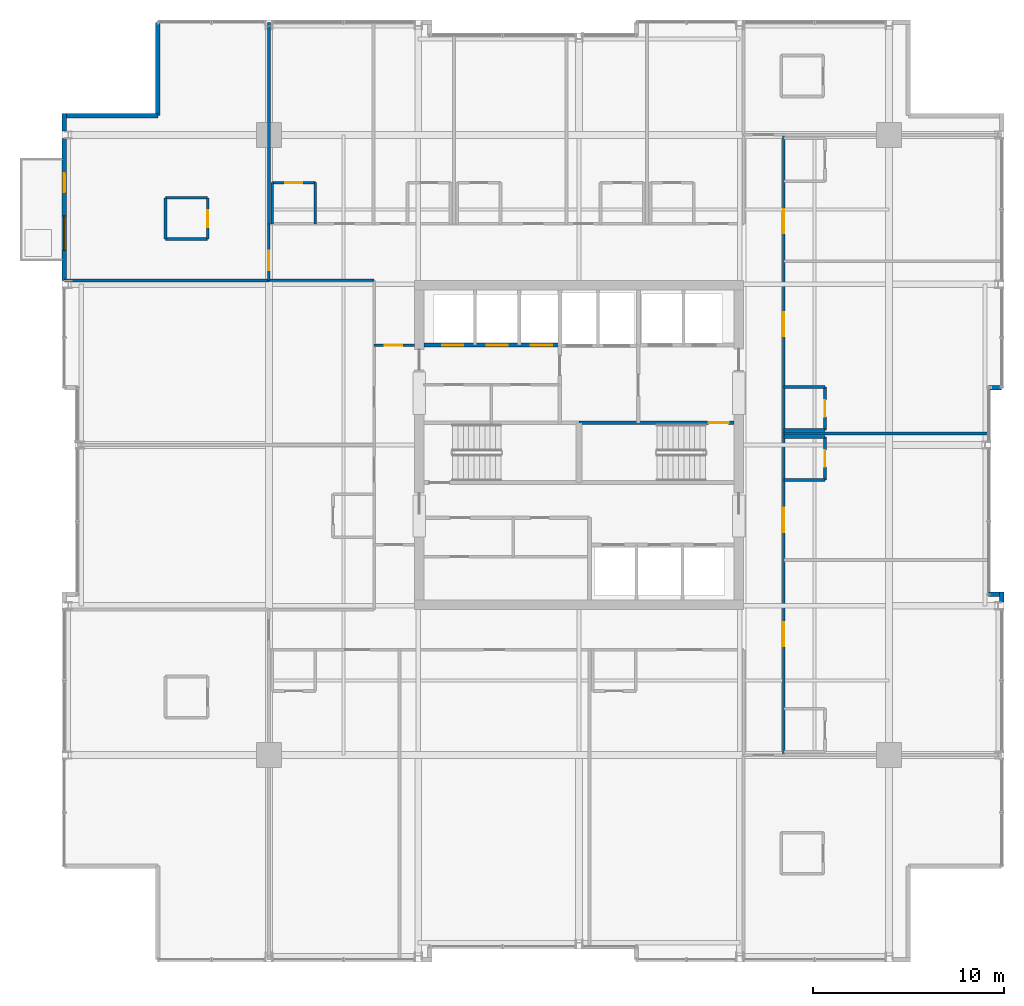
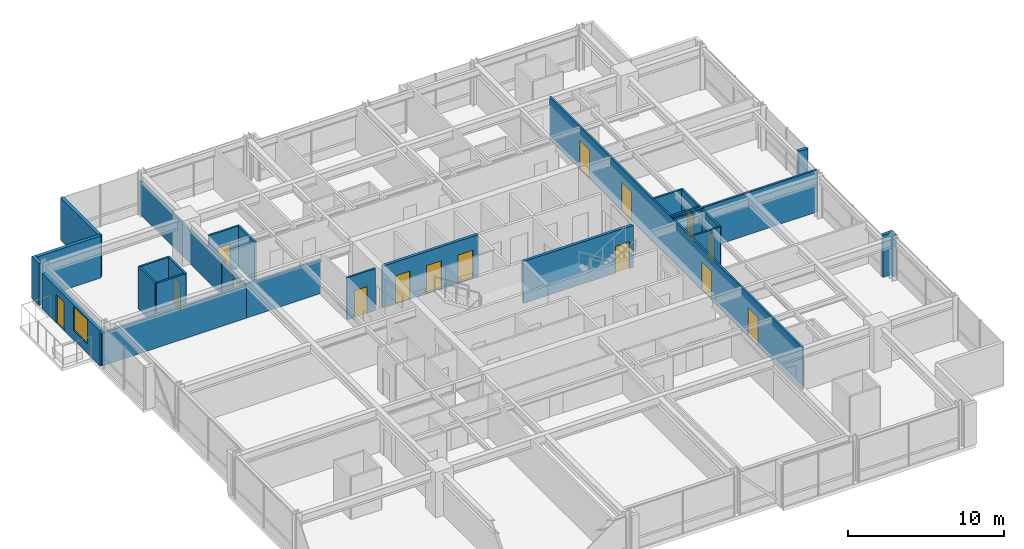
# One storey, part 27 of 32: 29 walls, 15 doors, 1 window, 16 openings.
"""IFC4 building model written with IfcOpenShell, lengths in metres."""

from ifc_helpers import new_model, si_unit, direction, frame, frame_2d, origin, place, context, subcontext, project, spatial, rectangle, extrude, material, layer, layer_set, type_object, element, fill, save


model = new_model("IFC4")

# Units and contexts
model_context = context("Model", 3, precision=1e-05, world=origin(), true_north=direction((0.0, 1.0)))
body_context = subcontext(model_context, "Body", "Model", "MODEL_VIEW")
ifc_project = project(units=[si_unit("LENGTHUNIT", "METRE"), si_unit("AREAUNIT", "SQUARE_METRE"), si_unit("VOLUMEUNIT", "CUBIC_METRE"), si_unit("PLANEANGLEUNIT", "RADIAN"), si_unit("MASSUNIT", "GRAM", prefix="KILO")], contexts=[model_context])

# Site, building, storey
site_placement = place(None, origin())
site = spatial("IfcSite", under=ifc_project, at=site_placement, CompositionType="ELEMENT")
building_placement = place(site_placement, origin())
building = spatial("IfcBuilding", under=site, at=building_placement, Name="Drelvath Grand Hotel", CompositionType="ELEMENT")
storey_placement = place(building_placement, frame((0.0, 0.0, 189.449951171875)))
storey = spatial("IfcBuildingStorey", under=building, at=storey_placement, Name="L49", CompositionType="ELEMENT", Elevation=189.449951171875)

# Wall, openings, doors
ifc_material_1 = material(Name="Concrete C40/50", Category="concrete")
ifc_layer_1 = layer(ifc_material_1, 0.199951171875)
ifc_layer_set_1 = layer_set([ifc_layer_1], Name="Concrete C40/50")
wall_type_1 = type_object("IfcWallType", Name="Core Hoistway Fire Wall 200", PredefinedType="SOLIDWALL", material=ifc_layer_set_1)
wall_1_placement = place(storey_placement, frame((-8.10009765625, 32.219970703125, 0.0), z_axis=(0.0, 0.0, 1.0), x_axis=(1.0, 0.0, 0.0)))
wall_1 = element("IfcWall", 1, at=wall_1_placement, inside=storey, type_object=wall_type_1, Name="L49 Bank 3 Hoistway Wall", PredefinedType="SOLIDWALL", context=body_context, shape_type="SweptSolid", body=[
    extrude(rectangle(XDim=7.10009765625, YDim=0.199951171875, at=frame_2d((3.550048828125, 0.0))), origin(), (0.0, 0.0, 1.0), 3.2900390625),
])
opening_1_placement = place(wall_1_placement, frame((0.949951171875, 0.0, 0.0)))
opening_1 = element("IfcOpeningElement", 2, at=opening_1_placement, cuts=wall_1, Name="Opening LD-PE-7", PredefinedType="OPENING", context=body_context, shape_type="SweptSolid", body=[
    extrude(rectangle(XDim=1.10009765625, YDim=2.199951171875, at=frame_2d((0.550048828125, 1.10009765625))), frame((0.0, 0.10986328125, 0.0), z_axis=(0.0, -1.0, 0.0), x_axis=(1.0, 0.0, 0.0)), (0.0, 0.0, 1.0), 0.219970703125),
])
opening_2_placement = place(wall_1_placement, frame((3.27001953125, 0.0, 0.0)))
opening_2 = element("IfcOpeningElement", 3, at=opening_2_placement, cuts=wall_1, Name="Opening LD-PE-8", PredefinedType="OPENING", context=body_context, shape_type="SweptSolid", body=[
    extrude(rectangle(XDim=1.10009765625, YDim=2.199951171875, at=frame_2d((0.550048828125, 1.10009765625))), frame((0.0, 0.10986328125, 0.0), z_axis=(0.0, -1.0, 0.0), x_axis=(1.0, 0.0, 0.0)), (0.0, 0.0, 1.0), 0.219970703125),
])
opening_3_placement = place(wall_1_placement, frame((5.590087890625, 0.0, 0.0)))
opening_3 = element("IfcOpeningElement", 4, at=opening_3_placement, cuts=wall_1, Name="Opening LD-PE-9", PredefinedType="OPENING", context=body_context, shape_type="SweptSolid", body=[
    extrude(rectangle(XDim=1.10009765625, YDim=2.199951171875, at=frame_2d((0.550048828125, 1.10009765625))), frame((0.0, 0.10986328125, 0.0), z_axis=(0.0, -1.0, 0.0), x_axis=(1.0, 0.0, 0.0)), (0.0, 0.0, 1.0), 0.219970703125),
])
ifc_material_2 = material(Name="Stainless Steel S355", Category="steel")
door_type_1 = type_object("IfcDoorType", Name="Passenger Lift Sliding Landing Door 1100x2200", OperationType="NOTDEFINED", PredefinedType="DOOR", material=ifc_material_2)
door_1_placement = place(opening_1_placement, origin())
door_1 = element("IfcDoor", 5, at=door_1_placement, inside=storey, type_object=door_type_1, Name="L49 Lift PE-7 Landing Door", OperationType="SLIDING_TO_LEFT", OverallHeight=2.199951171875, OverallWidth=1.10009765625, PredefinedType="DOOR", context=body_context, shape_type="SweptSolid", body=[
    extrude(rectangle(XDim=1.10009765625, YDim=2.199951171875, at=frame_2d((0.550048828125, 1.10009765625))), frame((0.0, 0.02490234375, 0.0), z_axis=(0.0, -1.0, 0.0), x_axis=(1.0, 0.0, 0.0)), (0.0, 0.0, 1.0), 0.050048828125),
])
fill(opening_1, door_1)
door_2_placement = place(opening_2_placement, origin())
door_2 = element("IfcDoor", 6, at=door_2_placement, inside=storey, type_object=door_type_1, Name="L49 Lift PE-8 Landing Door", OperationType="SLIDING_TO_LEFT", OverallHeight=2.199951171875, OverallWidth=1.10009765625, PredefinedType="DOOR", context=body_context, shape_type="SweptSolid", body=[
    extrude(rectangle(XDim=1.10009765625, YDim=2.199951171875, at=frame_2d((0.550048828125, 1.10009765625))), frame((0.0, 0.02490234375, 0.0), z_axis=(0.0, -1.0, 0.0), x_axis=(1.0, 0.0, 0.0)), (0.0, 0.0, 1.0), 0.050048828125),
])
fill(opening_2, door_2)
door_3_placement = place(opening_3_placement, origin())
door_3 = element("IfcDoor", 7, at=door_3_placement, inside=storey, type_object=door_type_1, Name="L49 Lift PE-9 Landing Door", OperationType="SLIDING_TO_LEFT", OverallHeight=2.199951171875, OverallWidth=1.10009765625, PredefinedType="DOOR", context=body_context, shape_type="SweptSolid", body=[
    extrude(rectangle(XDim=1.10009765625, YDim=2.199951171875, at=frame_2d((0.550048828125, 1.10009765625))), frame((0.0, 0.02490234375, 0.0), z_axis=(0.0, -1.0, 0.0), x_axis=(1.0, 0.0, 0.0)), (0.0, 0.0, 1.0), 0.050048828125),
])
fill(opening_3, door_3)

# Wall, opening, door
ifc_layer_2 = layer(ifc_material_1, 0.199951171875)
ifc_layer_set_2 = layer_set([ifc_layer_2], Name="Concrete C40/50")
wall_type_2 = type_object("IfcWallType", Name="Core Shaft Fire Wall 200", PredefinedType="SOLIDWALL", material=ifc_layer_set_2)
wall_2_placement = place(storey_placement, frame((8.10009765625, 28.159912109375, 0.0), z_axis=(0.0, 0.0, 1.0), x_axis=(-1.0, 0.0, 0.0)))
wall_2 = element("IfcWall", 8, at=wall_2_placement, inside=storey, type_object=wall_type_2, Name="L49 Stair ST-2 North Wall", PredefinedType="SOLIDWALL", context=body_context, shape_type="SweptSolid", body=[
    extrude(rectangle(XDim=8.10009765625, YDim=0.199951171875, at=frame_2d((4.050048828125, 0.0))), origin(), (0.0, 0.0, 1.0), 3.2900390625),
])
opening_4_placement = place(wall_2_placement, frame((0.280029296875, 0.0, 0.0)))
opening_4 = element("IfcOpeningElement", 9, at=opening_4_placement, cuts=wall_2, Name="Opening D-T3G4-002", PredefinedType="OPENING", context=body_context, shape_type="SweptSolid", body=[
    extrude(rectangle(XDim=1.050048828125, YDim=2.10009765625, at=frame_2d((0.52490234375, 1.050048828125))), frame((0.0, 0.10986328125, 0.0), z_axis=(0.0, -1.0, 0.0), x_axis=(1.0, 0.0, 0.0)), (0.0, 0.0, 1.0), 0.219970703125),
])
ifc_material_3 = material(Name="Painted Steel S275", Category="steel")
door_type_2 = type_object("IfcDoorType", Name="Tower Stairwell Fire Door 1050x2100", OperationType="NOTDEFINED", PredefinedType="DOOR", material=ifc_material_3)
door_4_placement = place(opening_4_placement, origin())
door_4 = element("IfcDoor", 10, at=door_4_placement, inside=storey, type_object=door_type_2, Name="L49 Exit Stair ST-2 Door", OperationType="SINGLE_SWING_LEFT", OverallHeight=2.10009765625, OverallWidth=1.050048828125, PredefinedType="DOOR", context=body_context, shape_type="SweptSolid", body=[
    extrude(rectangle(XDim=1.050048828125, YDim=2.10009765625, at=frame_2d((0.52490234375, 1.050048828125))), frame((0.0, 0.02490234375, 0.0), z_axis=(0.0, -1.0, 0.0), x_axis=(1.0, 0.0, 0.0)), (0.0, 0.0, 1.0), 0.050048828125),
])
fill(opening_4, door_4)

ifc_material_4 = material(Name="Gypsum Fireboard Partition")
ifc_layer_3 = layer(ifc_material_4, 0.135009765625)
ifc_layer_set_3 = layer_set([ifc_layer_3], Name="Gypsum Fireboard Partition")
wall_type_3 = type_object("IfcWallType", Name="Corridor Fire Barrier Wall 135", PredefinedType="PARTITIONING", material=ifc_layer_set_3)
wall_3_placement = place(storey_placement, frame((-10.699951171875, 32.199951171875, 0.0), z_axis=(0.0, 0.0, 1.0), x_axis=(1.0, 0.0, 0.0)))
wall_3 = element("IfcWall", 11, at=wall_3_placement, inside=storey, type_object=wall_type_3, Name="L49 West Foyer North Wall", PredefinedType="PARTITIONING", context=body_context, shape_type="SweptSolid", body=[
    extrude(rectangle(XDim=2.099853515625, YDim=0.135009765625, at=frame_2d((1.0498046875, 0.0))), origin(), (0.0, 0.0, 1.0), 3.2900390625),
])
opening_5_placement = place(wall_3_placement, frame((0.550048828125, 0.0, 0.0)))
opening_5 = element("IfcOpeningElement", 12, at=opening_5_placement, cuts=wall_3, Name="Opening D-T3G4-025", PredefinedType="OPENING", context=body_context, shape_type="SweptSolid", body=[
    extrude(rectangle(XDim=0.919921875, YDim=2.10009765625, at=frame_2d((0.4599609375, 1.050048828125))), frame((0.0, 0.077392578125, 0.0), z_axis=(0.0, -1.0, 0.0), x_axis=(1.0, 0.0, 0.0)), (0.0, 0.0, 1.0), 0.155029296875),
])
door_type_3 = type_object("IfcDoorType", Name="Staff Utility Door 920x2100", OperationType="NOTDEFINED", PredefinedType="DOOR", material=ifc_material_3)
door_5_placement = place(opening_5_placement, origin())
door_5 = element("IfcDoor", 13, at=door_5_placement, inside=storey, type_object=door_type_3, Name="L49 West Pantry Door", OperationType="SINGLE_SWING_LEFT", OverallHeight=2.10009765625, OverallWidth=0.919921875, PredefinedType="DOOR", context=body_context, shape_type="SweptSolid", body=[
    extrude(rectangle(XDim=0.919921875, YDim=2.10009765625, at=frame_2d((0.4599609375, 1.050048828125))), frame((0.0, 0.02490234375, 0.0), z_axis=(0.0, -1.0, 0.0), x_axis=(1.0, 0.0, 0.0)), (0.0, 0.0, 1.0), 0.050048828125),
])
fill(opening_5, door_5)

# Wall
wall_4_placement = place(storey_placement, frame((-16.199951171875, 35.60009765625, 0.0), z_axis=(0.0, 0.0, 1.0), x_axis=(1.0, 0.0, 0.0)))
element("IfcWall", 14, at=wall_4_placement, inside=storey, type_object=wall_type_3, Name="L49 NW Stub South Wall", PredefinedType="PARTITIONING", context=body_context, shape_type="SweptSolid", body=[
    extrude(rectangle(XDim=5.5, YDim=0.135009765625, at=frame_2d((2.75, 0.0))), origin(), (0.0, 0.0, 1.0), 2.66748046875),
])

# Wall, openings, doors
wall_5_placement = place(storey_placement, frame((10.699951171875, 10.800048828125, 0.0), z_axis=(0.0, 0.0, 1.0), x_axis=(0.0, 1.0, 0.0)))
wall_5 = element("IfcWall", 15, at=wall_5_placement, inside=storey, type_object=wall_type_3, Name="L49 East Spine Corridor Wall", PredefinedType="PARTITIONING", context=body_context, shape_type="SweptSolid", body=[
    extrude(rectangle(XDim=32.39990234375, YDim=0.135009765625, at=frame_2d((16.199951171875, 0.0))), origin(), (0.0, 0.0, 1.0), 3.2900390625),
])
opening_6_placement = place(wall_5_placement, frame((5.68505859375, 0.0, 0.0)))
opening_6 = element("IfcOpeningElement", 16, at=opening_6_placement, cuts=wall_5, Name="Opening D-T3G4-050", PredefinedType="OPENING", context=body_context, shape_type="SweptSolid", body=[
    extrude(rectangle(XDim=1.260009765625, YDim=2.199951171875, at=frame_2d((0.6298828125, 1.10009765625))), frame((0.0, 0.077392578125, 0.0), z_axis=(0.0, -1.0, 0.0), x_axis=(1.0, 0.0, 0.0)), (0.0, 0.0, 1.0), 0.155029296875),
])
opening_7_placement = place(wall_5_placement, frame((11.655029296875, 0.0, 0.0)))
opening_7 = element("IfcOpeningElement", 17, at=opening_7_placement, cuts=wall_5, Name="Opening D-T3G4-052", PredefinedType="OPENING", context=body_context, shape_type="SweptSolid", body=[
    extrude(rectangle(XDim=1.260009765625, YDim=2.199951171875, at=frame_2d((0.6298828125, 1.10009765625))), frame((0.0, 0.077392578125, 0.0), z_axis=(0.0, -1.0, 0.0), x_axis=(1.0, 0.0, 0.0)), (0.0, 0.0, 1.0), 0.155029296875),
])
opening_8_placement = place(wall_5_placement, frame((21.885009765625, 0.0, 0.0)))
opening_8 = element("IfcOpeningElement", 18, at=opening_8_placement, cuts=wall_5, Name="Opening D-T3G4-054", PredefinedType="OPENING", context=body_context, shape_type="SweptSolid", body=[
    extrude(rectangle(XDim=1.260009765625, YDim=2.199951171875, at=frame_2d((0.6298828125, 1.10009765625))), frame((0.0, 0.077392578125, 0.0), z_axis=(0.0, -1.0, 0.0), x_axis=(1.0, 0.0, 0.0)), (0.0, 0.0, 1.0), 0.155029296875),
])
opening_9_placement = place(wall_5_placement, frame((27.2548828125, 0.0, 0.0)))
opening_9 = element("IfcOpeningElement", 19, at=opening_9_placement, cuts=wall_5, Name="Opening D-T3G4-056", PredefinedType="OPENING", context=body_context, shape_type="SweptSolid", body=[
    extrude(rectangle(XDim=1.260009765625, YDim=2.199951171875, at=frame_2d((0.6298828125, 1.10009765625))), frame((0.0, 0.077392578125, 0.0), z_axis=(0.0, -1.0, 0.0), x_axis=(1.0, 0.0, 0.0)), (0.0, 0.0, 1.0), 0.155029296875),
])
ifc_material_5 = material(Name="Hardwood Walnut Timber", Category="wood")
door_type_4 = type_object("IfcDoorType", Name="Suite Entrance Fire Door 1260x2200", OperationType="NOTDEFINED", PredefinedType="DOOR", material=ifc_material_5)
door_6_placement = place(opening_6_placement, origin())
door_6 = element("IfcDoor", 20, at=door_6_placement, inside=storey, type_object=door_type_4, Name="L49 Executive Suite Entry Door", OperationType="SINGLE_SWING_RIGHT", OverallHeight=2.199951171875, OverallWidth=1.260009765625, PredefinedType="DOOR", context=body_context, shape_type="SweptSolid", body=[
    extrude(rectangle(XDim=1.260009765625, YDim=2.199951171875, at=frame_2d((0.6298828125, 1.10009765625))), frame((0.0, 0.02490234375, 0.0), z_axis=(0.0, -1.0, 0.0), x_axis=(1.0, 0.0, 0.0)), (0.0, 0.0, 1.0), 0.050048828125),
])
fill(opening_6, door_6)
door_7_placement = place(opening_7_placement, origin())
door_7 = element("IfcDoor", 21, at=door_7_placement, inside=storey, type_object=door_type_4, Name="L49 Executive Suite Entry Door", OperationType="SINGLE_SWING_RIGHT", OverallHeight=2.199951171875, OverallWidth=1.260009765625, PredefinedType="DOOR", context=body_context, shape_type="SweptSolid", body=[
    extrude(rectangle(XDim=1.260009765625, YDim=2.199951171875, at=frame_2d((0.6298828125, 1.10009765625))), frame((0.0, 0.02490234375, 0.0), z_axis=(0.0, -1.0, 0.0), x_axis=(1.0, 0.0, 0.0)), (0.0, 0.0, 1.0), 0.050048828125),
])
fill(opening_7, door_7)
door_8_placement = place(opening_8_placement, origin())
door_8 = element("IfcDoor", 22, at=door_8_placement, inside=storey, type_object=door_type_4, Name="L49 Executive Suite Entry Door", OperationType="SINGLE_SWING_RIGHT", OverallHeight=2.199951171875, OverallWidth=1.260009765625, PredefinedType="DOOR", context=body_context, shape_type="SweptSolid", body=[
    extrude(rectangle(XDim=1.260009765625, YDim=2.199951171875, at=frame_2d((0.6298828125, 1.10009765625))), frame((0.0, 0.02490234375, 0.0), z_axis=(0.0, -1.0, 0.0), x_axis=(1.0, 0.0, 0.0)), (0.0, 0.0, 1.0), 0.050048828125),
])
fill(opening_8, door_8)
door_9_placement = place(opening_9_placement, origin())
door_9 = element("IfcDoor", 23, at=door_9_placement, inside=storey, type_object=door_type_4, Name="L49 Executive Suite Entry Door", OperationType="SINGLE_SWING_RIGHT", OverallHeight=2.199951171875, OverallWidth=1.260009765625, PredefinedType="DOOR", context=body_context, shape_type="SweptSolid", body=[
    extrude(rectangle(XDim=1.260009765625, YDim=2.199951171875, at=frame_2d((0.6298828125, 1.10009765625))), frame((0.0, 0.02490234375, 0.0), z_axis=(0.0, -1.0, 0.0), x_axis=(1.0, 0.0, 0.0)), (0.0, 0.0, 1.0), 0.050048828125),
])
fill(opening_9, door_9)

# Wall, opening, door
wall_6_placement = place(storey_placement, frame((-16.199951171875, 35.60009765625, 0.0), z_axis=(0.0, 0.0, 1.0), x_axis=(0.0, 1.0, 0.0)))
wall_6 = element("IfcWall", 24, at=wall_6_placement, inside=storey, type_object=wall_type_3, Name="L49 North Stub West End", PredefinedType="PARTITIONING", context=body_context, shape_type="SweptSolid", body=[
    extrude(rectangle(XDim=2.949951171875, YDim=0.135009765625, at=frame_2d((1.47509765625, 0.0))), origin(), (0.0, 0.0, 1.0), 2.57958984375),
])
opening_10_placement = place(wall_6_placement, frame((0.52001953125, 0.0, 0.0)))
opening_10 = element("IfcOpeningElement", 25, at=opening_10_placement, cuts=wall_6, Name="Opening D-T3G4-029", PredefinedType="OPENING", context=body_context, shape_type="SweptSolid", body=[
    extrude(rectangle(XDim=1.02001953125, YDim=2.14990234375, at=frame_2d((0.510009765625, 1.074951171875))), frame((0.0, 0.077392578125, 0.0), z_axis=(0.0, -1.0, 0.0), x_axis=(1.0, 0.0, 0.0)), (0.0, 0.0, 1.0), 0.155029296875),
])
door_type_5 = type_object("IfcDoorType", Name="Amenity Meeting Fire Door 1020x2150", OperationType="NOTDEFINED", PredefinedType="DOOR", material=ifc_material_5)
door_10_placement = place(opening_10_placement, origin())
door_10 = element("IfcDoor", 26, at=door_10_placement, inside=storey, type_object=door_type_5, Name="L49 Executive Suite Entry Door", OperationType="SINGLE_SWING_LEFT", OverallHeight=2.14990234375, OverallWidth=1.02001953125, PredefinedType="DOOR", context=body_context, shape_type="SweptSolid", body=[
    extrude(rectangle(XDim=1.02001953125, YDim=2.14990234375, at=frame_2d((0.510009765625, 1.074951171875))), frame((0.0, 0.02490234375, 0.0), z_axis=(0.0, -1.0, 0.0), x_axis=(1.0, 0.0, 0.0)), (0.0, 0.0, 1.0), 0.050048828125),
])
fill(opening_10, door_10)

# Walls
ifc_material_6 = material(Name="Moisture-Resistant Gypsum Board")
ifc_layer_4 = layer(ifc_material_6, 0.139892578125)
ifc_layer_set_4 = layer_set([ifc_layer_4], Name="Moisture-Resistant Gypsum Board")
wall_type_4 = type_object("IfcWallType", Name="En-Suite Plumbing Wall 140", PredefinedType="PLUMBINGWALL", material=ifc_layer_set_4)
for number, where, z_axis, x_axis, name in (
    (27, (-21.60009765625, 37.760009765625, 0.0), (0.0, 0.0, 1.0), (1.0, 0.0, 0.0), "L49 Corner En-Suite South"),
    (28, (-21.60009765625, 39.909912109375, 0.0), (0.0, 0.0, 1.0), (1.0, 0.0, 0.0), "L49 Corner En-Suite North"),
):
    element("IfcWall", number, at=place(storey_placement, frame(where, z_axis=z_axis, x_axis=x_axis)), inside=storey, type_object=wall_type_4, Name=name, PredefinedType="PLUMBINGWALL", context=body_context, shape_type="SweptSolid", body=[
        extrude(rectangle(XDim=2.2001953125, YDim=0.139892578125, at=frame_2d((1.10009765625, 0.0))), origin(), (0.0, 0.0, 1.0), 3.2900390625),
    ])
wall_7_placement = place(storey_placement, frame((-21.60009765625, 37.760009765625, 0.0), z_axis=(0.0, 0.0, 1.0), x_axis=(0.0, 1.0, 0.0)))
element("IfcWall", 29, at=wall_7_placement, inside=storey, type_object=wall_type_4, Name="L49 Corner En-Suite West", PredefinedType="PLUMBINGWALL", context=body_context, shape_type="SweptSolid", body=[
    extrude(rectangle(XDim=2.14990234375, YDim=0.139892578125, at=frame_2d((1.074951171875, 0.0))), origin(), (0.0, 0.0, 1.0), 3.2900390625),
])

# Wall, opening, door
wall_8_placement = place(storey_placement, frame((-19.39990234375, 37.760009765625, 0.0), z_axis=(0.0, 0.0, 1.0), x_axis=(0.0, 1.0, 0.0)))
wall_8 = element("IfcWall", 30, at=wall_8_placement, inside=storey, type_object=wall_type_4, Name="L49 Corner En-Suite East", PredefinedType="PLUMBINGWALL", context=body_context, shape_type="SweptSolid", body=[
    extrude(rectangle(XDim=2.14990234375, YDim=0.139892578125, at=frame_2d((1.074951171875, 0.0))), origin(), (0.0, 0.0, 1.0), 3.2900390625),
])
opening_11_placement = place(wall_8_placement, frame((0.6201171875, 0.0, 0.0)))
opening_11 = element("IfcOpeningElement", 31, at=opening_11_placement, cuts=wall_8, Name="Opening D-T3G4-028", PredefinedType="OPENING", context=body_context, shape_type="SweptSolid", body=[
    extrude(rectangle(XDim=0.8798828125, YDim=2.10009765625, at=frame_2d((0.43994140625, 1.050048828125))), frame((0.0, 0.079833984375, 0.0), z_axis=(0.0, -1.0, 0.0), x_axis=(1.0, 0.0, 0.0)), (0.0, 0.0, 1.0), 0.159912109375),
])
door_type_6 = type_object("IfcDoorType", Name="En-Suite Bathroom Door 880x2100", OperationType="NOTDEFINED", PredefinedType="DOOR", material=ifc_material_5)
door_11_placement = place(opening_11_placement, origin())
door_11 = element("IfcDoor", 32, at=door_11_placement, inside=storey, type_object=door_type_6, Name="L49 Corner En-Suite Door", OperationType="SINGLE_SWING_RIGHT", OverallHeight=2.10009765625, OverallWidth=0.8798828125, PredefinedType="DOOR", context=body_context, shape_type="SweptSolid", body=[
    extrude(rectangle(XDim=0.8798828125, YDim=2.10009765625, at=frame_2d((0.43994140625, 1.050048828125))), frame((0.0, 0.02490234375, 0.0), z_axis=(0.0, -1.0, 0.0), x_axis=(1.0, 0.0, 0.0)), (0.0, 0.0, 1.0), 0.050048828125),
])
fill(opening_11, door_11)

# Walls
wall_9_placement = place(storey_placement, frame((-16.02001953125, 38.550048828125, 0.0), z_axis=(0.0, 0.0, 1.0), x_axis=(0.0, 1.0, 0.0)))
element("IfcWall", 33, at=wall_9_placement, inside=storey, type_object=wall_type_4, Name="L49 En-Suite Left Wall", PredefinedType="PLUMBINGWALL", context=body_context, shape_type="SweptSolid", body=[
    extrude(rectangle(XDim=2.14990234375, YDim=0.139892578125, at=frame_2d((1.074951171875, 0.0))), origin(), (0.0, 0.0, 1.0), 2.57958984375),
])
wall_10_placement = place(storey_placement, frame((-13.77001953125, 38.550048828125, 0.0), z_axis=(0.0, 0.0, 1.0), x_axis=(0.0, 1.0, 0.0)))
element("IfcWall", 34, at=wall_10_placement, inside=storey, type_object=wall_type_4, Name="L49 En-Suite Right Wall", PredefinedType="PLUMBINGWALL", context=body_context, shape_type="SweptSolid", body=[
    extrude(rectangle(XDim=2.14990234375, YDim=0.139892578125, at=frame_2d((1.074951171875, 0.0))), origin(), (0.0, 0.0, 1.0), 3.2900390625),
])

# Wall, opening, door
wall_11_placement = place(storey_placement, frame((-16.02001953125, 40.699951171875, 0.0), z_axis=(0.0, 0.0, 1.0), x_axis=(1.0, 0.0, 0.0)))
wall_11 = element("IfcWall", 35, at=wall_11_placement, inside=storey, type_object=wall_type_4, Name="L49 En-Suite Front Wall", PredefinedType="PLUMBINGWALL", context=body_context, shape_type="SweptSolid", body=[
    extrude(rectangle(XDim=2.25, YDim=0.139892578125, at=frame_2d((1.125, 0.0))), origin(), (0.0, 0.0, 1.0), 3.2900390625),
])
opening_12_placement = place(wall_11_placement, frame((0.68505859375, 0.0, 0.0)))
opening_12 = element("IfcOpeningElement", 36, at=opening_12_placement, cuts=wall_11, Name="Opening D-T3G4-039", PredefinedType="OPENING", context=body_context, shape_type="SweptSolid", body=[
    extrude(rectangle(XDim=0.8798828125, YDim=2.10009765625, at=frame_2d((0.43994140625, 1.050048828125))), frame((0.0, 0.079833984375, 0.0), z_axis=(0.0, -1.0, 0.0), x_axis=(1.0, 0.0, 0.0)), (0.0, 0.0, 1.0), 0.159912109375),
])
door_12_placement = place(opening_12_placement, origin())
door_12 = element("IfcDoor", 37, at=door_12_placement, inside=storey, type_object=door_type_6, Name="L49 En-Suite Bathroom Door", OperationType="SINGLE_SWING_LEFT", OverallHeight=2.10009765625, OverallWidth=0.8798828125, PredefinedType="DOOR", context=body_context, shape_type="SweptSolid", body=[
    extrude(rectangle(XDim=0.8798828125, YDim=2.10009765625, at=frame_2d((0.43994140625, 1.050048828125))), frame((0.0, 0.02490234375, 0.0), z_axis=(0.0, -1.0, 0.0), x_axis=(1.0, 0.0, 0.0)), (0.0, 0.0, 1.0), 0.050048828125),
])
fill(opening_12, door_12)

# Walls
for number, where, z_axis, x_axis, name in (
    (38, (10.699951171875, 25.169921875, 0.0), (0.0, 0.0, 1.0), (1.0, 0.0, 0.0), "L49 En-Suite Left Wall"),
    (39, (10.699951171875, 27.419921875, 0.0), (0.0, 0.0, 1.0), (1.0, 0.0, 0.0), "L49 En-Suite Right Wall"),
):
    element("IfcWall", number, at=place(storey_placement, frame(where, z_axis=z_axis, x_axis=x_axis)), inside=storey, type_object=wall_type_4, Name=name, PredefinedType="PLUMBINGWALL", context=body_context, shape_type="SweptSolid", body=[
        extrude(rectangle(XDim=2.150146484375, YDim=0.139892578125, at=frame_2d((1.0751953125, 0.0))), origin(), (0.0, 0.0, 1.0), 3.2900390625),
    ])

# Wall, opening, door
wall_12_placement = place(storey_placement, frame((12.85009765625, 25.169921875, 0.0), z_axis=(0.0, 0.0, 1.0), x_axis=(0.0, 1.0, 0.0)))
wall_12 = element("IfcWall", 40, at=wall_12_placement, inside=storey, type_object=wall_type_4, Name="L49 En-Suite Front Wall", PredefinedType="PLUMBINGWALL", context=body_context, shape_type="SweptSolid", body=[
    extrude(rectangle(XDim=2.25, YDim=0.139892578125, at=frame_2d((1.125, 0.0))), origin(), (0.0, 0.0, 1.0), 3.2900390625),
])
opening_13_placement = place(wall_12_placement, frame((0.68505859375, 0.0, 0.0)))
opening_13 = element("IfcOpeningElement", 41, at=opening_13_placement, cuts=wall_12, Name="Opening D-T3G4-051", PredefinedType="OPENING", context=body_context, shape_type="SweptSolid", body=[
    extrude(rectangle(XDim=0.8798828125, YDim=2.10009765625, at=frame_2d((0.43994140625, 1.050048828125))), frame((0.0, 0.079833984375, 0.0), z_axis=(0.0, -1.0, 0.0), x_axis=(1.0, 0.0, 0.0)), (0.0, 0.0, 1.0), 0.159912109375),
])
door_13_placement = place(opening_13_placement, origin())
door_13 = element("IfcDoor", 42, at=door_13_placement, inside=storey, type_object=door_type_6, Name="L49 En-Suite Bathroom Door", OperationType="SINGLE_SWING_LEFT", OverallHeight=2.10009765625, OverallWidth=0.8798828125, PredefinedType="DOOR", context=body_context, shape_type="SweptSolid", body=[
    extrude(rectangle(XDim=0.8798828125, YDim=2.10009765625, at=frame_2d((0.43994140625, 1.050048828125))), frame((0.0, 0.02490234375, 0.0), z_axis=(0.0, -1.0, 0.0), x_axis=(1.0, 0.0, 0.0)), (0.0, 0.0, 1.0), 0.050048828125),
])
fill(opening_13, door_13)

# Walls
for number, where, z_axis, x_axis, name in (
    (43, (10.699951171875, 27.780029296875, 0.0), (0.0, 0.0, 1.0), (1.0, 0.0, 0.0), "L49 En-Suite Left Wall"),
    (44, (10.699951171875, 30.030029296875, 0.0), (0.0, 0.0, 1.0), (1.0, 0.0, 0.0), "L49 En-Suite Right Wall"),
):
    element("IfcWall", number, at=place(storey_placement, frame(where, z_axis=z_axis, x_axis=x_axis)), inside=storey, type_object=wall_type_4, Name=name, PredefinedType="PLUMBINGWALL", context=body_context, shape_type="SweptSolid", body=[
        extrude(rectangle(XDim=2.150146484375, YDim=0.139892578125, at=frame_2d((1.0751953125, 0.0))), origin(), (0.0, 0.0, 1.0), 3.2900390625),
    ])

# Wall, opening, door
wall_13_placement = place(storey_placement, frame((12.85009765625, 27.780029296875, 0.0), z_axis=(0.0, 0.0, 1.0), x_axis=(0.0, 1.0, 0.0)))
wall_13 = element("IfcWall", 45, at=wall_13_placement, inside=storey, type_object=wall_type_4, Name="L49 En-Suite Front Wall", PredefinedType="PLUMBINGWALL", context=body_context, shape_type="SweptSolid", body=[
    extrude(rectangle(XDim=2.25, YDim=0.139892578125, at=frame_2d((1.125, 0.0))), origin(), (0.0, 0.0, 1.0), 3.2900390625),
])
opening_14_placement = place(wall_13_placement, frame((0.68505859375, 0.0, 0.0)))
opening_14 = element("IfcOpeningElement", 46, at=opening_14_placement, cuts=wall_13, Name="Opening D-T3G4-053", PredefinedType="OPENING", context=body_context, shape_type="SweptSolid", body=[
    extrude(rectangle(XDim=0.8798828125, YDim=2.10009765625, at=frame_2d((0.43994140625, 1.050048828125))), frame((0.0, 0.079833984375, 0.0), z_axis=(0.0, -1.0, 0.0), x_axis=(1.0, 0.0, 0.0)), (0.0, 0.0, 1.0), 0.159912109375),
])
door_14_placement = place(opening_14_placement, origin())
door_14 = element("IfcDoor", 47, at=door_14_placement, inside=storey, type_object=door_type_6, Name="L49 En-Suite Bathroom Door", OperationType="SINGLE_SWING_LEFT", OverallHeight=2.10009765625, OverallWidth=0.8798828125, PredefinedType="DOOR", context=body_context, shape_type="SweptSolid", body=[
    extrude(rectangle(XDim=0.8798828125, YDim=2.10009765625, at=frame_2d((0.43994140625, 1.050048828125))), frame((0.0, 0.02490234375, 0.0), z_axis=(0.0, -1.0, 0.0), x_axis=(1.0, 0.0, 0.0)), (0.0, 0.0, 1.0), 0.050048828125),
])
fill(opening_14, door_14)

# Walls
ifc_material_7 = material(Name="Gypsum Acoustic Partition")
ifc_layer_5 = layer(ifc_material_7, 0.14990234375)
ifc_layer_set_5 = layer_set([ifc_layer_5], Name="Gypsum Acoustic Partition")
wall_type_5 = type_object("IfcWallType", Name="Guestroom Demising Wall 150", PredefinedType="PARTITIONING", material=ifc_layer_set_5)
wall_14_placement = place(storey_placement, frame((10.699951171875, 27.60009765625, 0.0), z_axis=(0.0, 0.0, 1.0), x_axis=(1.0, 0.0, 0.0)))
element("IfcWall", 48, at=wall_14_placement, inside=storey, type_object=wall_type_5, Name="L49 East Demising 2", PredefinedType="PARTITIONING", context=body_context, shape_type="SweptSolid", body=[
    extrude(rectangle(XDim=10.699951171875, YDim=0.14990234375, at=frame_2d((5.35009765625, 0.0))), origin(), (0.0, 0.0, 1.0), 3.2900390625),
])
ifc_layer_6 = layer(ifc_material_7, 0.1650390625)
ifc_layer_set_6 = layer_set([ifc_layer_6], Name="Gypsum Acoustic Partition")
wall_type_6 = type_object("IfcWallType", Name="Suite Demising Wall 165", PredefinedType="PARTITIONING", material=ifc_layer_set_6)
wall_15_placement = place(storey_placement, frame((-16.199951171875, 38.550048828125, 0.0), z_axis=(0.0, 0.0, 1.0), x_axis=(0.0, 1.0, 0.0)))
element("IfcWall", 49, at=wall_15_placement, inside=storey, type_object=wall_type_6, Name="L49 NW Suite East Wall", PredefinedType="PARTITIONING", context=body_context, shape_type="SweptSolid", body=[
    extrude(rectangle(XDim=10.530029296875, YDim=0.1650390625, at=frame_2d((5.26513671875, 0.0))), origin(), (0.0, 0.0, 1.0), 2.57958984375),
])
wall_16_placement = place(storey_placement, frame((-26.8798828125, 35.60009765625, 0.0), z_axis=(0.0, 0.0, 1.0), x_axis=(1.0, 0.0, 0.0)))
element("IfcWall", 50, at=wall_16_placement, inside=storey, type_object=wall_type_6, Name="L49 NW Suite South Wall", PredefinedType="PARTITIONING", context=body_context, shape_type="SweptSolid", body=[
    extrude(rectangle(XDim=10.679931640625, YDim=0.1650390625, at=frame_2d((5.33984375, 0.0))), origin(), (0.0, 0.0, 1.0), 2.57958984375),
])

# Wall, openings, window, door
ifc_material_8 = material(Name="Pale-Metal Insulated Aluminium Spandrel Assembly", Category="aluminium")
ifc_layer_7 = layer(ifc_material_8, 0.239990234375)
ifc_layer_set_7 = layer_set([ifc_layer_7], Name="Pale-Metal Insulated Aluminium Spandrel Assembly")
wall_type_7 = type_object("IfcWallType", Name="Tower Insulated Metal Spandrel Closure Wall 240", PredefinedType="STANDARD", material=ifc_layer_set_7)
wall_17_placement = place(storey_placement, frame((-26.8798828125, 35.591552734375, 0.0), z_axis=(0.0, 0.0, 1.0), x_axis=(0.0, 1.0, 0.0)))
wall_17 = element("IfcWall", 51, at=wall_17_placement, inside=storey, type_object=wall_type_7, Name="L49 Exterior Terrace Door Bay Wall WN2", PredefinedType="STANDARD", context=body_context, shape_type="SweptSolid", body=[
    extrude(rectangle(XDim=7.416748046875, YDim=0.239990234375, at=frame_2d((3.70849609375, 0.0))), origin(), (0.0, 0.0, 1.0), 2.75341796875),
])
opening_15_placement = place(wall_17_placement, frame((4.6083984375, 0.0, 0.0)))
opening_15 = element("IfcOpeningElement", 52, at=opening_15_placement, cuts=wall_17, Name="Opening TD-1000", PredefinedType="OPENING", context=body_context, shape_type="SweptSolid", body=[
    extrude(rectangle(XDim=1.0, YDim=2.199951171875, at=frame_2d((0.5, 1.10009765625))), frame((0.0, 0.1298828125, 0.0), z_axis=(0.0, -1.0, 0.0), x_axis=(1.0, 0.0, 0.0)), (0.0, 0.0, 1.0), 0.260009765625),
])
opening_16_placement = place(wall_17_placement, frame((1.57958984375, 0.0, 0.75)))
opening_16 = element("IfcOpeningElement", 53, at=opening_16_placement, cuts=wall_17, Name="Opening W-02", PredefinedType="OPENING", context=body_context, shape_type="SweptSolid", body=[
    extrude(rectangle(XDim=1.800048828125, YDim=1.9033203125, at=frame_2d((0.89990234375, 0.95166015625))), frame((0.0, 0.1298828125, 0.0), z_axis=(0.0, -1.0, 0.0), x_axis=(1.0, 0.0, 0.0)), (0.0, 0.0, 1.0), 0.260009765625),
])
ifc_material_9 = material(Name="Bronze Anodised Low-E Triple Glazing", Category="glass")
window_type = type_object("IfcWindowType", Name="Chicago Double-Pane Podium Window 1800x2400", PartitioningType="DOUBLE_PANEL_VERTICAL", PredefinedType="WINDOW", material=ifc_material_9)
window_placement = place(opening_16_placement, origin())
window = element("IfcWindow", 54, at=window_placement, inside=storey, type_object=window_type, Name="L49 Terrace Bay Companion Window WN2", OverallHeight=1.9033203125, OverallWidth=1.800048828125, PartitioningType="SINGLE_PANEL", PredefinedType="WINDOW", context=body_context, shape_type="SweptSolid", body=[
    extrude(rectangle(XDim=1.800048828125, YDim=1.9033203125, at=frame_2d((0.89990234375, 0.95166015625))), frame((0.0, 0.030029296875, 0.0), z_axis=(0.0, -1.0, 0.0), x_axis=(1.0, 0.0, 0.0)), (0.0, 0.0, 1.0), 0.06005859375),
])
fill(opening_16, window)
ifc_material_10 = material(Name="Anodised Aluminium Thermally Broken Glazed Door", Category="aluminium")
door_type_7 = type_object("IfcDoorType", Name="Terrace and Tree Balcony Glazed Door 1000x2200", OperationType="NOTDEFINED", PredefinedType="DOOR", material=ifc_material_10)
door_15_placement = place(opening_15_placement, origin())
door_15 = element("IfcDoor", 55, at=door_15_placement, inside=storey, type_object=door_type_7, Name="L49 Tree Balcony Door DOOR-L49-TBAL-1", OperationType="SINGLE_SWING_RIGHT", OverallHeight=2.199951171875, OverallWidth=1.0, PredefinedType="DOOR", context=body_context, shape_type="SweptSolid", body=[
    extrude(rectangle(XDim=1.0, YDim=2.199951171875, at=frame_2d((0.5, 1.10009765625))), frame((0.0, 0.02490234375, 0.0), z_axis=(0.0, -1.0, 0.0), x_axis=(1.0, 0.0, 0.0)), (0.0, 0.0, 1.0), 0.050048828125),
])
fill(opening_15, door_15)

# Walls
wall_18_placement = place(storey_placement, frame((-26.8798828125, 43.3916015625, 0.0), z_axis=(0.0, 0.0, 1.0), x_axis=(0.0, 1.0, 0.0)))
element("IfcWall", 56, at=wall_18_placement, inside=storey, type_object=wall_type_7, Name="L49 Corner Pier Spandrel Wall WN3", PredefinedType="STANDARD", context=body_context, shape_type="SweptSolid", body=[
    extrude(rectangle(XDim=0.928466796875, YDim=0.239990234375, at=frame_2d((0.46435546875, 0.0))), origin(), (0.0, 0.0, 1.0), 3.2900390625),
])
wall_19_placement = place(storey_placement, frame((22.080078125, 19.320068359375, 0.0), z_axis=(0.0, 0.0, 1.0), x_axis=(0.0, -1.0, 0.0)))
element("IfcWall", 57, at=wall_19_placement, inside=storey, type_object=wall_type_7, Name="L49 Corner Pier Spandrel Wall ES3", PredefinedType="STANDARD", context=body_context, shape_type="SweptSolid", body=[
    extrude(rectangle(XDim=0.5283203125, YDim=0.239990234375, at=frame_2d((0.26416015625, 0.0))), origin(), (0.0, 0.0, 1.0), 3.2900390625),
])
wall_20_placement = place(storey_placement, frame((-26.760009765625, 44.199951171875, 0.0), z_axis=(0.0, 0.0, 1.0), x_axis=(1.0, 0.0, 0.0)))
element("IfcWall", 58, at=wall_20_placement, inside=storey, type_object=wall_type_7, Name="L49 Notched Corner Return Spandrel Wall CNW1", PredefinedType="STANDARD", context=body_context, shape_type="SweptSolid", body=[
    extrude(rectangle(XDim=4.760009765625, YDim=0.239990234375, at=frame_2d((2.3798828125, 0.0))), origin(), (0.0, 0.0, 1.0), 3.2900390625),
])
wall_21_placement = place(storey_placement, frame((-22.0, 44.199951171875, 0.0), z_axis=(0.0, 0.0, 1.0), x_axis=(0.0, 1.0, 0.0)))
element("IfcWall", 59, at=wall_21_placement, inside=storey, type_object=wall_type_7, Name="L49 Notched Corner Return Spandrel Wall CNW2", PredefinedType="STANDARD", context=body_context, shape_type="SweptSolid", body=[
    extrude(rectangle(XDim=4.880126953125, YDim=0.239990234375, at=frame_2d((2.43994140625, 0.0))), origin(), (0.0, 0.0, 1.0), 3.2900390625),
])
wall_22_placement = place(storey_placement, frame((22.080078125, 30.0, 0.0), z_axis=(0.0, 0.0, 1.0), x_axis=(-1.0, 0.0, 0.0)))
element("IfcWall", 60, at=wall_22_placement, inside=storey, type_object=wall_type_7, Name="L49 Notched Corner Return Spandrel Wall RE1", PredefinedType="STANDARD", context=body_context, shape_type="SweptSolid", body=[
    extrude(rectangle(XDim=0.68017578125, YDim=0.239990234375, at=frame_2d((0.340087890625, 0.0))), origin(), (0.0, 0.0, 1.0), 3.2900390625),
])
wall_23_placement = place(storey_placement, frame((21.39990234375, 19.199951171875, 0.0), z_axis=(0.0, 0.0, 1.0), x_axis=(1.0, 0.0, 0.0)))
element("IfcWall", 61, at=wall_23_placement, inside=storey, type_object=wall_type_7, Name="L49 Notched Corner Return Spandrel Wall RE2", PredefinedType="STANDARD", context=body_context, shape_type="SweptSolid", body=[
    extrude(rectangle(XDim=0.56005859375, YDim=0.239990234375, at=frame_2d((0.280029296875, 0.0))), origin(), (0.0, 0.0, 1.0), 3.2900390625),
])

save(model, "model.ifc")
